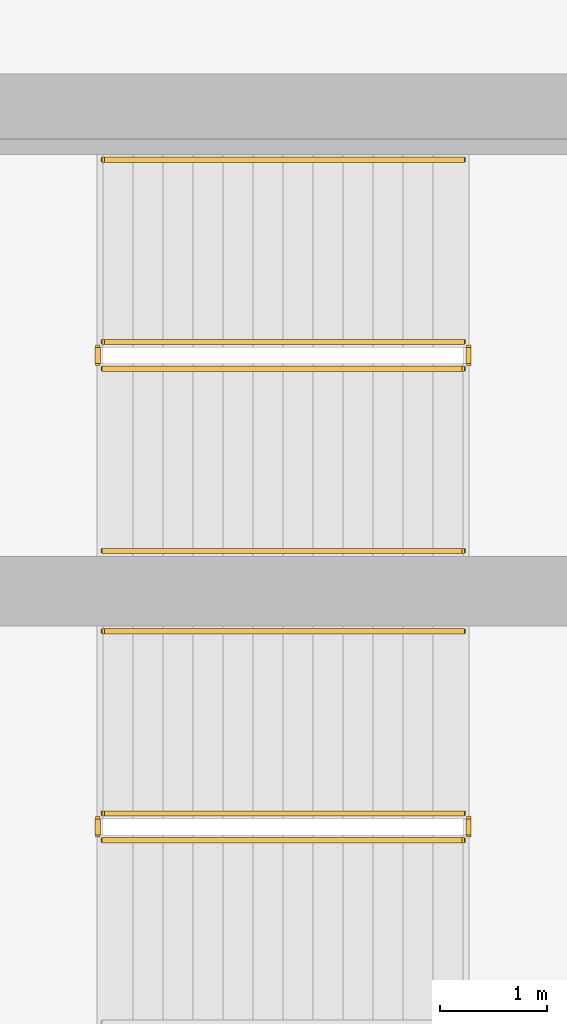
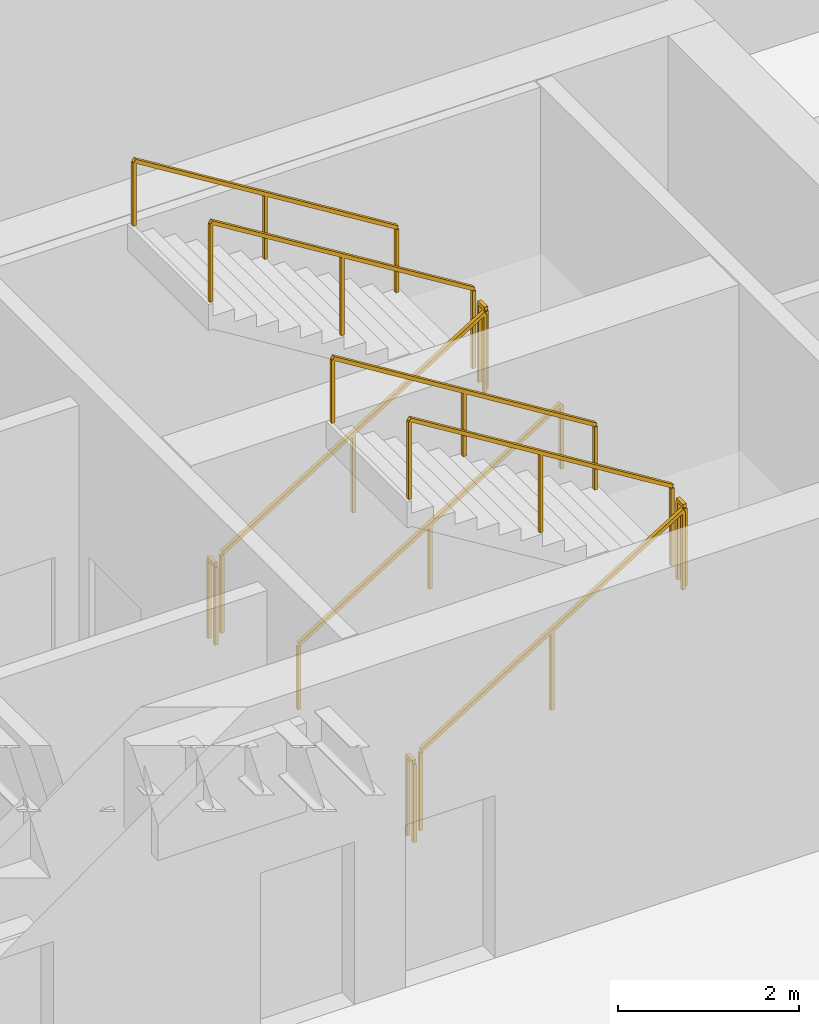
# One storey, part 8 of 9: 11 railings.
"""IFC4 building model written with IfcOpenShell, lengths in metres."""

from ifc_helpers import new_model, si_unit, direction, frame, origin, origin_2d, place, context, subcontext, project, spatial, rectangle, extrude, material, layer, layer_set, type_object, element, save


model = new_model("IFC4")

# Units and contexts
model_context = context("Model", 3, precision=1e-05, world=origin(), true_north=direction((0.0, 1.0)))
body_context = subcontext(model_context, "Body", "Model", "MODEL_VIEW")
ifc_project = project(units=[si_unit("LENGTHUNIT", "METRE"), si_unit("AREAUNIT", "SQUARE_METRE"), si_unit("VOLUMEUNIT", "CUBIC_METRE"), si_unit("PLANEANGLEUNIT", "RADIAN"), si_unit("MASSUNIT", "GRAM", prefix="KILO")], contexts=[model_context])

# Site, building, storey
site_placement = place(None, origin())
site = spatial("IfcSite", under=ifc_project, at=site_placement, CompositionType="ELEMENT")
building_placement = place(site_placement, origin())
building = spatial("IfcBuilding", under=site, at=building_placement, Name="Caeloran Harvest Quay", CompositionType="ELEMENT")
storey_placement = place(building_placement, frame((0.0, 0.0, -9.0)))
storey = spatial("IfcBuildingStorey", under=building, at=storey_placement, Name="B02", CompositionType="ELEMENT", Elevation=-9.0)

# Railings
ifc_material_1 = material(Name="Painted Steel Baluster and Top-Rail Stair Guard", Category="steel")
ifc_layer_1 = layer(ifc_material_1, 0.050048828125, Name="Painted Steel Baluster and Top-Rail Stair Guard")
ifc_layer_set_1 = layer_set([ifc_layer_1], Name="Painted Steel Baluster and Top-Rail Stair Guard")
railing_type_1 = type_object("IfcRailingType", Name="STAIR-GUARD-1100", PredefinedType="GUARDRAIL", material=ifc_layer_set_1)
railing_1_placement = place(storey_placement, frame((15.89990234375, 38.25, 0.173095703125)))
element("IfcRailing", 1, at=railing_1_placement, inside=storey, type_object=railing_type_1, Name="B02 ST-C1 stair guard 1", PredefinedType="GUARDRAIL", context=body_context, shape_type="SweptSolid", body=[
    extrude(rectangle(XDim=0.048095703125, YDim=0.048095703125, at=origin_2d()), frame((0.0, 0.0, 1.076171875), z_axis=(0.850623216509, 0.0, 0.525775754039), x_axis=(0.0, 1.0, 0.0)), (0.0, 0.0, 1.0), 3.9501953125),
    extrude(rectangle(XDim=0.0419921875, YDim=0.0419921875, at=origin_2d()), origin(), (0.0, 0.0, 1.0), 1.052001953125),
    extrude(rectangle(XDim=0.0419921875, YDim=0.0419921875, at=origin_2d()), frame((1.68017578125, 0.0, 1.03857421875)), (0.0, 0.0, 1.0), 1.052001953125),
    extrude(rectangle(XDim=0.0419921875, YDim=0.0419921875, at=origin_2d()), frame((3.360107421875, 0.0, 2.076904296875)), (0.0, 0.0, 1.0), 1.052001953125),
])
railing_2_placement = place(storey_placement, frame((19.31005859375, 38.300048828125, 2.25)))
element("IfcRailing", 2, at=railing_2_placement, inside=storey, type_object=railing_type_1, Name="B02 ST-C1 stair guard 2", PredefinedType="GUARDRAIL", context=body_context, shape_type="SweptSolid", body=[
    extrude(rectangle(XDim=0.048095703125, YDim=0.048095703125, at=origin_2d()), frame((0.0, 0.0, 1.076171875), z_axis=(0.0, 1.0, 0.0), x_axis=(-1.0, 0.0, 0.0)), (0.0, 0.0, 1.0), 0.14990234375),
    extrude(rectangle(XDim=0.0419921875, YDim=0.0419921875, at=origin_2d()), origin(), (0.0, 0.0, 1.0), 1.052001953125),
    extrude(rectangle(XDim=0.0419921875, YDim=0.0419921875, at=origin_2d()), frame((0.0, 0.14990234375, 0.0)), (0.0, 0.0, 1.0), 1.052001953125),
])
railing_3_placement = place(storey_placement, frame((19.260009765625, 38.5, 2.423095703125)))
element("IfcRailing", 3, at=railing_3_placement, inside=storey, type_object=railing_type_1, Name="B02 ST-C1 stair guard 3", PredefinedType="GUARDRAIL", context=body_context, shape_type="SweptSolid", body=[
    extrude(rectangle(XDim=0.048095703125, YDim=0.048095703125, at=origin_2d()), frame((0.0, 0.0, 1.076171875), z_axis=(-0.850623216509, 0.0, 0.525775754039), x_axis=(0.0, -1.0, 0.0)), (0.0, 0.0, 1.0), 3.9501953125),
    extrude(rectangle(XDim=0.0419921875, YDim=0.0419921875, at=origin_2d()), origin(), (0.0, 0.0, 1.0), 1.052001953125),
    extrude(rectangle(XDim=0.0419921875, YDim=0.0419921875, at=origin_2d()), frame((-1.68017578125, 0.0, 1.03857421875)), (0.0, 0.0, 1.0), 1.052001953125),
    extrude(rectangle(XDim=0.0419921875, YDim=0.0419921875, at=origin_2d()), frame((-3.360107421875, 0.0, 2.076904296875)), (0.0, 0.0, 1.0), 1.052001953125),
])
railing_4_placement = place(storey_placement, frame((15.85009765625, 38.300048828125, 0.0)))
element("IfcRailing", 4, at=railing_4_placement, inside=storey, type_object=railing_type_1, Name="B02 ST-C1 stair guard 4", PredefinedType="GUARDRAIL", context=body_context, shape_type="SweptSolid", body=[
    extrude(rectangle(XDim=0.048095703125, YDim=0.048095703125, at=origin_2d()), frame((0.0, 0.0, 1.076171875), z_axis=(0.0, 1.0, 0.0), x_axis=(-1.0, 0.0, 0.0)), (0.0, 0.0, 1.0), 0.14990234375),
    extrude(rectangle(XDim=0.0419921875, YDim=0.0419921875, at=origin_2d()), origin(), (0.0, 0.0, 1.0), 1.052001953125),
    extrude(rectangle(XDim=0.0419921875, YDim=0.0419921875, at=origin_2d()), frame((0.0, 0.14990234375, 0.0)), (0.0, 0.0, 1.0), 1.052001953125),
])
railing_5_placement = place(storey_placement, frame((15.89990234375, 33.85009765625, 0.173095703125)))
element("IfcRailing", 5, at=railing_5_placement, inside=storey, type_object=railing_type_1, Name="B02 ST-C2 stair guard 1", PredefinedType="GUARDRAIL", context=body_context, shape_type="SweptSolid", body=[
    extrude(rectangle(XDim=0.048095703125, YDim=0.048095703125, at=origin_2d()), frame((0.0, 0.0, 1.076171875), z_axis=(0.850623216509, 0.0, 0.525775754039), x_axis=(0.0, 1.0, 0.0)), (0.0, 0.0, 1.0), 3.9501953125),
    extrude(rectangle(XDim=0.0419921875, YDim=0.0419921875, at=origin_2d()), origin(), (0.0, 0.0, 1.0), 1.052001953125),
    extrude(rectangle(XDim=0.0419921875, YDim=0.0419921875, at=origin_2d()), frame((1.68017578125, 0.0, 1.03857421875)), (0.0, 0.0, 1.0), 1.052001953125),
    extrude(rectangle(XDim=0.0419921875, YDim=0.0419921875, at=origin_2d()), frame((3.360107421875, 0.0, 2.076904296875)), (0.0, 0.0, 1.0), 1.052001953125),
])
railing_6_placement = place(storey_placement, frame((19.31005859375, 33.89990234375, 2.25)))
element("IfcRailing", 6, at=railing_6_placement, inside=storey, type_object=railing_type_1, Name="B02 ST-C2 stair guard 2", PredefinedType="GUARDRAIL", context=body_context, shape_type="SweptSolid", body=[
    extrude(rectangle(XDim=0.048095703125, YDim=0.048095703125, at=origin_2d()), frame((0.0, 0.0, 1.076171875), z_axis=(0.0, 1.0, 0.0), x_axis=(-1.0, 0.0, 0.0)), (0.0, 0.0, 1.0), 0.150146484375),
    extrude(rectangle(XDim=0.0419921875, YDim=0.0419921875, at=origin_2d()), origin(), (0.0, 0.0, 1.0), 1.052001953125),
    extrude(rectangle(XDim=0.0419921875, YDim=0.0419921875, at=origin_2d()), frame((0.0, 0.150146484375, 0.0)), (0.0, 0.0, 1.0), 1.052001953125),
])
railing_7_placement = place(storey_placement, frame((19.260009765625, 34.10009765625, 2.423095703125)))
element("IfcRailing", 7, at=railing_7_placement, inside=storey, type_object=railing_type_1, Name="B02 ST-C2 stair guard 3", PredefinedType="GUARDRAIL", context=body_context, shape_type="SweptSolid", body=[
    extrude(rectangle(XDim=0.048095703125, YDim=0.048095703125, at=origin_2d()), frame((0.0, 0.0, 1.076171875), z_axis=(-0.850623216509, 0.0, 0.525775754039), x_axis=(0.0, -1.0, 0.0)), (0.0, 0.0, 1.0), 3.9501953125),
    extrude(rectangle(XDim=0.0419921875, YDim=0.0419921875, at=origin_2d()), origin(), (0.0, 0.0, 1.0), 1.052001953125),
    extrude(rectangle(XDim=0.0419921875, YDim=0.0419921875, at=origin_2d()), frame((-1.68017578125, 0.0, 1.03857421875)), (0.0, 0.0, 1.0), 1.052001953125),
    extrude(rectangle(XDim=0.0419921875, YDim=0.0419921875, at=origin_2d()), frame((-3.360107421875, 0.0, 2.076904296875)), (0.0, 0.0, 1.0), 1.052001953125),
])
railing_8_placement = place(storey_placement, frame((15.85009765625, 33.89990234375, 0.0)))
element("IfcRailing", 8, at=railing_8_placement, inside=storey, type_object=railing_type_1, Name="B02 ST-C2 stair guard 4", PredefinedType="GUARDRAIL", context=body_context, shape_type="SweptSolid", body=[
    extrude(rectangle(XDim=0.048095703125, YDim=0.048095703125, at=origin_2d()), frame((0.0, 0.0, 1.076171875), z_axis=(0.0, 1.0, 0.0), x_axis=(-1.0, 0.0, 0.0)), (0.0, 0.0, 1.0), 0.150146484375),
    extrude(rectangle(XDim=0.0419921875, YDim=0.0419921875, at=origin_2d()), origin(), (0.0, 0.0, 1.0), 1.052001953125),
    extrude(rectangle(XDim=0.0419921875, YDim=0.0419921875, at=origin_2d()), frame((0.0, 0.150146484375, 0.0)), (0.0, 0.0, 1.0), 1.052001953125),
])
ifc_material_2 = material(Name="Brushed Stainless Steel Grade 304", Category="steel")
ifc_layer_2 = layer(ifc_material_2, 0.050048828125, Name="Brushed Stainless Steel Grade 304")
ifc_layer_set_2 = layer_set([ifc_layer_2], Name="Brushed Stainless Steel Grade 304")
railing_type_2 = type_object("IfcRailingType", Name="STAIR-HANDRAIL-900", PredefinedType="HANDRAIL", material=ifc_layer_set_2)
railing_9_placement = place(storey_placement, frame((15.89990234375, 36.550048828125, 0.173095703125)))
element("IfcRailing", 9, at=railing_9_placement, inside=storey, type_object=railing_type_2, Name="B02 ST-C1 stair handrail 1", PredefinedType="HANDRAIL", context=body_context, shape_type="SweptSolid", body=[
    extrude(rectangle(XDim=0.048095703125, YDim=0.048095703125, at=origin_2d()), frame((0.0, 0.0, 0.8759765625), z_axis=(0.850623216509, 0.0, 0.525775754039), x_axis=(0.0, 1.0, 0.0)), (0.0, 0.0, 1.0), 3.9501953125),
    extrude(rectangle(XDim=0.0419921875, YDim=0.0419921875, at=origin_2d()), origin(), (0.0, 0.0, 1.0), 0.851806640625),
    extrude(rectangle(XDim=0.0419921875, YDim=0.0419921875, at=origin_2d()), frame((1.68017578125, 0.0, 1.03857421875)), (0.0, 0.0, 1.0), 0.851806640625),
    extrude(rectangle(XDim=0.0419921875, YDim=0.0419921875, at=origin_2d()), frame((3.360107421875, 0.0, 2.076904296875)), (0.0, 0.0, 1.0), 0.851806640625),
])
for number, where, name in (
    (10, (19.260009765625, 40.199951171875, 2.423095703125), "B02 ST-C1 stair handrail 2"),
    (11, (19.260009765625, 35.800048828125, 2.423095703125), "B02 ST-C2 stair handrail 2"),
):
    element("IfcRailing", number, at=place(storey_placement, frame(where)), inside=storey, type_object=railing_type_2, Name=name, PredefinedType="HANDRAIL", context=body_context, shape_type="SweptSolid", body=[
        extrude(rectangle(XDim=0.048095703125, YDim=0.048095703125, at=origin_2d()), frame((0.0, 0.0, 0.8759765625), z_axis=(-0.850623216509, 0.0, 0.525775754039), x_axis=(0.0, -1.0, 0.0)), (0.0, 0.0, 1.0), 3.9501953125),
        extrude(rectangle(XDim=0.0419921875, YDim=0.0419921875, at=origin_2d()), origin(), (0.0, 0.0, 1.0), 0.851806640625),
        extrude(rectangle(XDim=0.0419921875, YDim=0.0419921875, at=origin_2d()), frame((-1.68017578125, 0.0, 1.03857421875)), (0.0, 0.0, 1.0), 0.851806640625),
        extrude(rectangle(XDim=0.0419921875, YDim=0.0419921875, at=origin_2d()), frame((-3.360107421875, 0.0, 2.076904296875)), (0.0, 0.0, 1.0), 0.851806640625),
    ])

save(model, "model.ifc")
